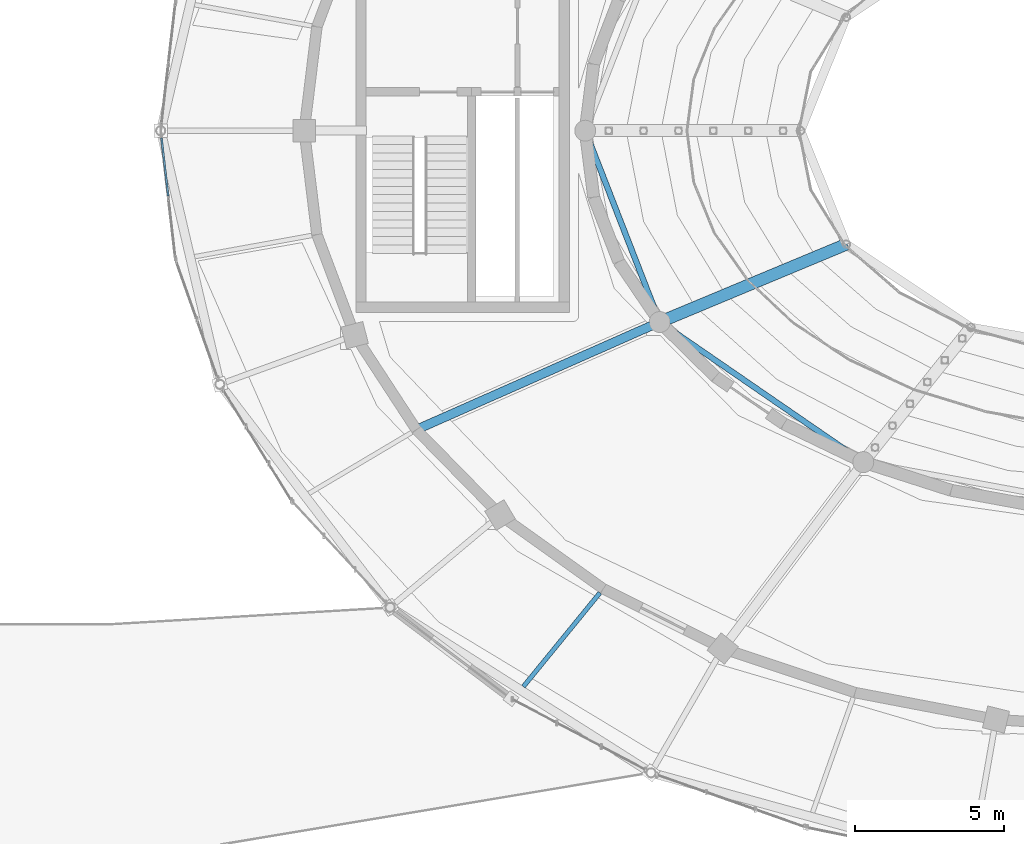
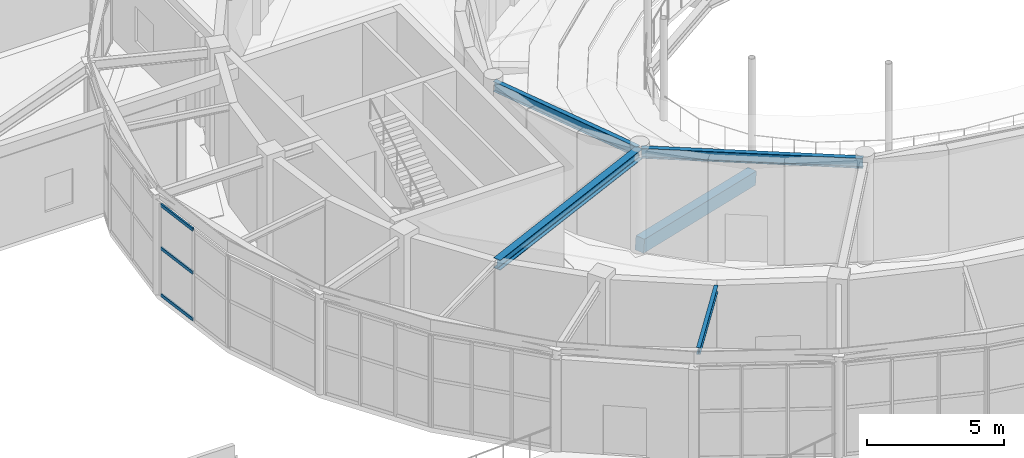
# One storey, part 31 of 108: 5 beams, 3 members, 1 element without a shape of its own.
"""IFC4 building model written with IfcOpenShell, lengths in metres."""

import ifcopenshell
import ifcopenshell.guid

model = None  # the IFC model being written
_history = None  # IfcOwnerHistory: only IFC2X3 demands one
_inside = {}  # id of a spatial element -> (the spatial element, [elements in it])
_under = {}  # id of a project, library or spatial element -> (it, [spatial elements below it])
_declared = {}  # id of a project -> (the project, [libraries it declares])
_typed = {}  # id of a type object -> (the type object, [elements of that type])
_made_of = {}  # id of a material, layer set ... -> (it, [elements and type objects made of it])


def new_model(schema):
    """Start an empty IFC model of exactly this schema.

    Asked for "IFC4X3", IfcOpenShell would pick the latest addendum, in which some entities
    have other attributes; the version numbers below select the first issue.
    IFC2X3 requires an IfcOwnerHistory on every rooted entity: one is made here for all.
    """
    global model, _history
    if schema == "IFC4X3":
        model = ifcopenshell.file(schema_version=(4, 3, 0, 0))
    else:
        model = ifcopenshell.file(schema=schema)
    _inside.clear()
    _under.clear()
    _declared.clear()
    _typed.clear()
    _made_of.clear()
    _history = None
    if model.schema == "IFC2X3":
        org = make("IfcOrganization", Name="unknown")
        user = make(
            "IfcPersonAndOrganization",
            ThePerson=make("IfcPerson", FamilyName="unknown"),
            TheOrganization=org,
        )
        app = make(
            "IfcApplication",
            ApplicationDeveloper=org,
            Version="unknown",
            ApplicationFullName="unknown",
            ApplicationIdentifier="unknown",
        )
        _history = make(
            "IfcOwnerHistory",
            OwningUser=user,
            OwningApplication=app,
            ChangeAction="ADDED",
            CreationDate=0,
        )
    return model


def make(cls, **values):
    """One entity of the class cls with the attributes given. An attribute that is None is left unset."""
    return model.create_entity(
        cls, **{name: value for name, value in values.items() if value is not None}
    )


def rooted(cls, **values):
    """An entity with a GlobalId (a new one), such as an element, a storey or a relation."""
    return make(cls, GlobalId=ifcopenshell.guid.new(), OwnerHistory=_history, **values)


def si_unit(unit_type, name, prefix=None):
    """IfcSIUnit, for example si_unit("LENGTHUNIT", "METRE", prefix="MILLI")."""
    return make("IfcSIUnit", UnitType=unit_type, Prefix=prefix, Name=name)


def assignment(units):
    """IfcUnitAssignment: the units of a project."""
    return None if units is None else make("IfcUnitAssignment", Units=units)


def point(xyz):
    """IfcCartesianPoint."""
    return None if xyz is None else make("IfcCartesianPoint", Coordinates=xyz)


def direction(xyz):
    """IfcDirection."""
    return None if xyz is None else make("IfcDirection", DirectionRatios=xyz)


def frame(location, z_axis=None, x_axis=None):
    """IfcAxis2Placement3D, a coordinate frame: its origin and axes. An axis left out is left unset."""
    return make(
        "IfcAxis2Placement3D",
        Location=point(location),
        Axis=direction(z_axis),
        RefDirection=direction(x_axis),
    )


def frame_2d(location, x_axis=None):
    """IfcAxis2Placement2D, a coordinate frame in the plane: its origin and x axis."""
    return make(
        "IfcAxis2Placement2D", Location=point(location), RefDirection=direction(x_axis)
    )


def origin():
    """The frame at (0, 0, 0) with its axes left unset."""
    return frame((0.0, 0.0, 0.0))


def origin_2d():
    """The frame at (0, 0) in the plane with its x axis left unset."""
    return frame_2d((0.0, 0.0))


def place(relative_to, where):
    """IfcLocalPlacement: puts the frame where relative to a parent placement (None: the world)."""
    return make(
        "IfcLocalPlacement", PlacementRelTo=relative_to, RelativePlacement=where
    )


def context(
    kind, dimensions, precision=None, world=None, true_north=None, identifier=None
):
    """IfcGeometricRepresentationContext, for example the 3D "Model" context."""
    return make(
        "IfcGeometricRepresentationContext",
        ContextIdentifier=identifier,
        ContextType=kind,
        CoordinateSpaceDimension=dimensions,
        Precision=precision,
        WorldCoordinateSystem=world,
        TrueNorth=true_north,
    )


def subcontext(parent, identifier, kind, view, scale=None):
    """IfcGeometricRepresentationSubContext, for example "Body" below "Model"."""
    return make(
        "IfcGeometricRepresentationSubContext",
        ContextIdentifier=identifier,
        ContextType=kind,
        ParentContext=parent,
        TargetScale=scale,
        TargetView=view,
    )


def project(units=None, contexts=None):
    """IfcProject with its units and contexts."""
    return rooted(
        "IfcProject",
        Name="project",
        RepresentationContexts=contexts,
        UnitsInContext=assignment(units),
    )


def spatial(cls, under=None, at=None, **own):
    """A site, building, storey or space (cls), placed at a placement, below another one or the project."""
    s = rooted(cls, ObjectPlacement=at, **own)
    if under is not None:
        _under.setdefault(under.id(), (under, []))[1].append(s)
    return s


def profile(cls, at=None, kind="AREA", **sizes):
    """A parametric profile (cls). Its sizes go by their IFC names, for example OverallWidth=200.0."""
    return make(cls, ProfileType=kind, Position=at, **sizes)


def rectangle(**sizes):
    """IfcRectangleProfileDef."""
    return profile("IfcRectangleProfileDef", **sizes)


def hollow_rectangle(**sizes):
    """IfcRectangleHollowProfileDef."""
    return profile("IfcRectangleHollowProfileDef", **sizes)


def i_section(**sizes):
    """IfcIShapeProfileDef."""
    return profile("IfcIShapeProfileDef", **sizes)


def extrude(swept, where, along, depth):
    """IfcExtrudedAreaSolid: the profile swept, set in the frame where, extruded along a direction by depth."""
    return make(
        "IfcExtrudedAreaSolid",
        SweptArea=swept,
        Position=where,
        ExtrudedDirection=direction(along),
        Depth=depth,
    )


def shape(context_of_items, identifier, shape_type, items):
    """IfcShapeRepresentation: the items that make up one representation, for example the "Body"."""
    return make(
        "IfcShapeRepresentation",
        ContextOfItems=context_of_items,
        RepresentationIdentifier=identifier,
        RepresentationType=shape_type,
        Items=items,
    )


def material(Name=None, Category=None):
    """IfcMaterial."""
    return make("IfcMaterial", Name=Name, Category=Category)


def material_profile(
    of_material, cross_section, Name=None, Category=None, Priority=None
):
    """IfcMaterialProfile: a cross section and its material."""
    return make(
        "IfcMaterialProfile",
        Name=Name,
        Material=of_material,
        Profile=cross_section,
        Priority=Priority,
        Category=Category,
    )


def profile_set(profiles, Name=None, composite=None):
    """IfcMaterialProfileSet."""
    return make(
        "IfcMaterialProfileSet",
        Name=Name,
        MaterialProfiles=profiles,
        CompositeProfile=composite,
    )


def made_of(thing, what):
    """Note that an element or type object is made of a material, layer set ...; save() writes the relation."""
    if what is not None:
        _made_of.setdefault(what.id(), (what, []))[1].append(thing)
    return thing


def type_object(cls, material=None, **own):
    """A type object (cls), such as IfcWallType, which elements share."""
    return made_of(rooted(cls, **own), material)


def element(
    cls,
    number,
    at=None,
    inside=None,
    cuts=None,
    type_object=None,
    material=None,
    context=None,
    identifier="Body",
    shape_type=None,
    held_by="IfcProductDefinitionShape",
    body=None,
    shapes=None,
    **own,
):
    """One element of the class cls, such as IfcWall. Its Tag is "e" and its number.

    at: its placement. inside: the storey or other place that contains it. cuts: it is an
    opening in that element (IfcRelVoidsElement). A single representation is given by context,
    identifier, shape_type and body (its items); several are given by shapes. held_by: the class
    of the entity that holds the representations. save() writes the other relations.
    """
    e = rooted(cls, Tag="e%d" % number, ObjectPlacement=at, **own)
    if body is not None:
        shapes = [shape(context, identifier, shape_type, body)]
    if shapes is not None:
        e.Representation = make(held_by, Representations=shapes)
    if inside is not None:
        _inside.setdefault(inside.id(), (inside, []))[1].append(e)
    if cuts is not None:
        rooted(
            "IfcRelVoidsElement", RelatingBuildingElement=cuts, RelatedOpeningElement=e
        )
    if type_object is not None:
        _typed.setdefault(type_object.id(), (type_object, []))[1].append(e)
    return made_of(e, material)


def aggregate(whole, parts):
    """IfcRelAggregates: a whole, such as a stair, and the parts it consists of."""
    return rooted("IfcRelAggregates", RelatingObject=whole, RelatedObjects=parts)


def save(model, path):
    """Write the relations noted so far, then the file.

    IfcRelAggregates (storeys below a building ...), IfcRelContainedInSpatialStructure (elements
    in a storey), IfcRelDefinesByType, IfcRelAssociatesMaterial and IfcRelDeclares: one each for
    every whole, place, type object, material and project.
    """
    for whole, parts in _under.values():
        aggregate(whole, parts)
    for where, things in _inside.values():
        rooted(
            "IfcRelContainedInSpatialStructure",
            RelatedElements=things,
            RelatingStructure=where,
        )
    for kind, things in _typed.values():
        rooted("IfcRelDefinesByType", RelatedObjects=things, RelatingType=kind)
    for what, things in _made_of.values():
        rooted("IfcRelAssociatesMaterial", RelatedObjects=things, RelatingMaterial=what)
    for by, libraries in _declared.values():
        rooted("IfcRelDeclares", RelatingContext=by, RelatedDefinitions=libraries)
    model.write(path)


model = new_model("IFC4")

# Units and contexts
model_context = context("Model", 3, precision=1e-05, world=origin(), true_north=direction((0.0, 1.0)))
body_context = subcontext(model_context, "Body", "Model", "MODEL_VIEW")
ifc_project = project(units=[si_unit("LENGTHUNIT", "METRE"), si_unit("AREAUNIT", "SQUARE_METRE"), si_unit("VOLUMEUNIT", "CUBIC_METRE"), si_unit("PLANEANGLEUNIT", "RADIAN"), si_unit("MASSUNIT", "GRAM", prefix="KILO")], contexts=[model_context])

# Site, building, storey
site_placement = place(None, origin())
site = spatial("IfcSite", under=ifc_project, at=site_placement, CompositionType="ELEMENT")
building_placement = place(site_placement, origin())
building = spatial("IfcBuilding", under=site, at=building_placement, Name="Tarnveldt Headland Concert Hall", CompositionType="ELEMENT")
storey_placement = place(building_placement, frame((0.0, 0.0, 9.60009765625)))
storey = spatial("IfcBuildingStorey", under=building, at=storey_placement, Name="L02", CompositionType="ELEMENT", Elevation=9.60009765625)

# Beams
ifc_material_1 = material(Name="Concrete C40/50", Category="concrete")
ifc_material_profile_1 = material_profile(ifc_material_1, rectangle(XDim=0.39990234375, YDim=0.60009765625, at=origin_2d()), Name="RAKER RC 400x600", Category="concrete")
ifc_profile_set_1 = profile_set([ifc_material_profile_1], Name="Concrete C40/50")
beam_type_1 = type_object("IfcBeamType", Name="RK-400x600", PredefinedType="BEAM", material=ifc_profile_set_1)
beam_1_placement = place(storey_placement, frame((67.391845703125, 48.10009765625, 0.18994140625), z_axis=(0.917996568465, 0.382762155739, -0.103804780334), x_axis=(-0.384841186622, 0.922982806492, 0.0)))
element("IfcBeam", 1, at=beam_1_placement, inside=storey, type_object=beam_type_1, Name="Stand RAKER beam L02-8", PredefinedType="BEAM", context=body_context, shape_type="SweptSolid", body=[
    extrude(rectangle(XDim=0.39990234375, YDim=0.60009765625, at=origin_2d()), origin(), (0.0, 0.0, 1.0), 6.792236328125),
])
ifc_material_2 = material(Name="Steel S355", Category="steel")
ifc_material_profile_2 = material_profile(ifc_material_2, i_section(OverallWidth=0.300048828125, OverallDepth=0.449951171875, WebThickness=0.013916015625, FlangeThickness=0.02587890625, FilletRadius=0.027099609375, at=origin_2d()), Name="HEB450", Category="steel")
ifc_profile_set_2 = profile_set([ifc_material_profile_2], Name="Steel S355")
beam_type_2 = type_object("IfcBeamType", Name="SB-HEB450", PredefinedType="BEAM", material=ifc_profile_set_2)
beam_2_placement = place(storey_placement, frame((67.355224609375, 48.083740234375, 4.324951171875), z_axis=(-0.91456211397, -0.404445471839, 0.0), x_axis=(0.404445471839, -0.91456211397, 0.0)))
element("IfcBeam", 2, at=beam_2_placement, inside=storey, type_object=beam_type_2, Name="Framing beam L02-1063", PredefinedType="BEAM", context=body_context, shape_type="SweptSolid", body=[
    extrude(i_section(OverallWidth=0.300048828125, OverallDepth=0.449951171875, WebThickness=0.013916015625, FlangeThickness=0.02587890625, FilletRadius=0.027099609375, at=origin_2d()), origin(), (0.0, 0.0, 1.0), 8.821044921875),
])
ifc_material_profile_3 = material_profile(ifc_material_2, i_section(OverallWidth=0.14990234375, OverallDepth=0.300048828125, WebThickness=0.007080078125, FlangeThickness=0.0107421875, FilletRadius=0.014892578125, at=origin_2d()), Name="IPE300", Category="steel")
ifc_profile_set_3 = profile_set([ifc_material_profile_3], Name="Steel S355")
beam_type_3 = type_object("IfcBeamType", Name="SB-IPE300", PredefinedType="JOIST", material=ifc_profile_set_3)
beam_3_placement = place(storey_placement, frame((65.391357421875, 39.04345703125, 4.419921875), z_axis=(-0.632291553532, -0.774730528205, 0.0), x_axis=(0.774730528205, -0.632291553532, 0.0)))
element("IfcBeam", 3, at=beam_3_placement, inside=storey, type_object=beam_type_3, Name="Framing beam L02-1030", PredefinedType="JOIST", context=body_context, shape_type="SweptSolid", body=[
    extrude(i_section(OverallWidth=0.14990234375, OverallDepth=0.300048828125, WebThickness=0.007080078125, FlangeThickness=0.0107421875, FilletRadius=0.014892578125, at=origin_2d()), origin(), (0.0, 0.0, 1.0), 4.048583984375),
])
ifc_material_profile_4 = material_profile(ifc_material_2, i_section(OverallWidth=0.18994140625, OverallDepth=0.449951171875, WebThickness=0.009521484375, FlangeThickness=0.0146484375, FilletRadius=0.02099609375, at=origin_2d()), Name="IPE450", Category="steel")
ifc_profile_set_4 = profile_set([ifc_material_profile_4], Name="Steel S355")
beam_type_4 = type_object("IfcBeamType", Name="SB-IPE450", PredefinedType="BEAM", material=ifc_profile_set_4)
beam_4_placement = place(storey_placement, frame((64.921875, 54.444091796875, 4.324951171875), z_axis=(0.362816377746, -0.931860652694, 0.0), x_axis=(0.931860652694, 0.362816377746, 0.0)))
element("IfcBeam", 4, at=beam_4_placement, inside=storey, type_object=beam_type_4, Name="Framing beam L02-1062", PredefinedType="BEAM", context=body_context, shape_type="SweptSolid", body=[
    extrude(i_section(OverallWidth=0.18994140625, OverallDepth=0.449951171875, WebThickness=0.009521484375, FlangeThickness=0.0146484375, FilletRadius=0.02099609375, at=origin_2d()), origin(), (0.0, 0.0, 1.0), 6.747802734375),
])
beam_5_placement = place(storey_placement, frame((67.44140625, 48.06591796875, 4.324951171875), z_axis=(0.823792567818, -0.566891352207, 0.0), x_axis=(0.566891352207, 0.823792567818, 0.0)))
element("IfcBeam", 5, at=beam_5_placement, inside=storey, type_object=beam_type_4, Name="Framing beam L02-1064", PredefinedType="BEAM", context=body_context, shape_type="SweptSolid", body=[
    extrude(i_section(OverallWidth=0.18994140625, OverallDepth=0.449951171875, WebThickness=0.009521484375, FlangeThickness=0.0146484375, FilletRadius=0.02099609375, at=origin_2d()), origin(), (0.0, 0.0, 1.0), 8.144287109375),
])

# Curtain wall, members
ifc_material_3 = material(Name="Marine-anodised aluminium EN AW-6063-T6", Category="aluminium")
curtain_wall_type = type_object("IfcCurtainWallType", Name="CW-F3", PredefinedType="NOTDEFINED", material=ifc_material_3)
curtain_wall_placement = place(storey_placement, origin())
curtain_wall = element("IfcCurtainWall", 6, at=curtain_wall_placement, inside=storey, type_object=curtain_wall_type, Name="Curtain wall CW-L02-078", PredefinedType="NOTDEFINED")
ifc_material_profile_5 = material_profile(ifc_material_3, hollow_rectangle(XDim=0.06494140625, YDim=0.139892578125, WallThickness=0.00390625, at=origin_2d()), Name="ALU TRANSOM 65x140x4", Category="aluminium")
ifc_profile_set_5 = profile_set([ifc_material_profile_5], Name="Marine-anodised aluminium EN AW-6063-T6")
member_type = type_object("IfcMemberType", Name="TR-140", PredefinedType="MEMBER", material=ifc_profile_set_5)
member_1_placement = place(storey_placement, frame((50.728271484375, 54.255126953125, 0.0498046875), z_axis=(0.114988600131, -0.993366811324, 0.0), x_axis=(0.993366811324, 0.114988600131, 0.0)))
member_1 = element("IfcMember", 7, at=member_1_placement, type_object=member_type, Name="Transom CW-L02-078-1-1", PredefinedType="MEMBER", context=body_context, shape_type="SweptSolid", body=[
    extrude(hollow_rectangle(XDim=0.06494140625, YDim=0.139892578125, WallThickness=0.00390625, at=origin_2d()), origin(), (0.0, 0.0, 1.0), 1.95751953125),
])
member_2_placement = place(storey_placement, frame((50.728271484375, 54.255126953125, 2.135986328125), z_axis=(0.114988600131, -0.993366811324, 0.0), x_axis=(0.993366811324, 0.114988600131, 0.0)))
member_2 = element("IfcMember", 8, at=member_2_placement, type_object=member_type, Name="Transom CW-L02-078-1-2", PredefinedType="MEMBER", context=body_context, shape_type="SweptSolid", body=[
    extrude(hollow_rectangle(XDim=0.06494140625, YDim=0.139892578125, WallThickness=0.00390625, at=origin_2d()), origin(), (0.0, 0.0, 1.0), 1.95751953125),
])
member_3_placement = place(storey_placement, frame((50.728271484375, 54.255126953125, 4.057861328125), z_axis=(0.114988600131, -0.993366811324, 0.0), x_axis=(0.993366811324, 0.114988600131, 0.0)))
member_3 = element("IfcMember", 9, at=member_3_placement, type_object=member_type, Name="Transom CW-L02-078-1-3", PredefinedType="MEMBER", context=body_context, shape_type="SweptSolid", body=[
    extrude(hollow_rectangle(XDim=0.06494140625, YDim=0.139892578125, WallThickness=0.00390625, at=origin_2d()), origin(), (0.0, 0.0, 1.0), 1.95751953125),
])
aggregate(curtain_wall, [member_1, member_2, member_3])

save(model, "model.ifc")
